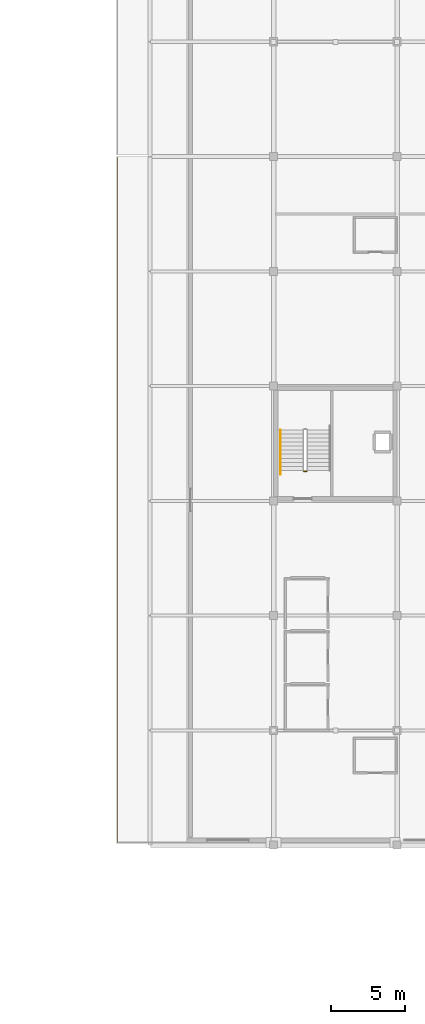
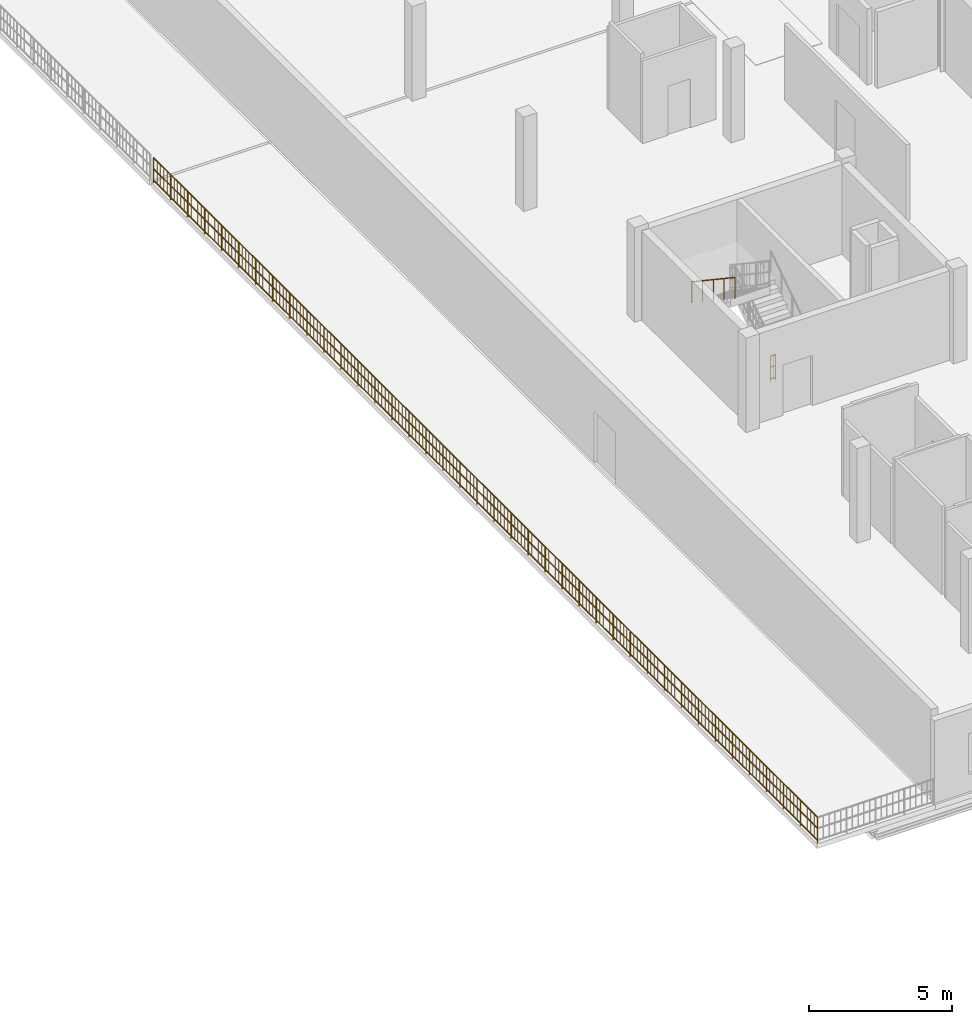
# One storey, part 17 of 20: 3 railings.
"""IFC4 building model written with IfcOpenShell, lengths in metres."""

from ifc_helpers import new_model, si_unit, direction, frame, origin, origin_2d, place, context, subcontext, project, spatial, circle, extrude, material, layer, layer_set, type_object, element, save


model = new_model("IFC4")

# Units and contexts
model_context = context("Model", 3, precision=1e-05, world=origin(), true_north=direction((0.0, 1.0)))
body_context = subcontext(model_context, "Body", "Model", "MODEL_VIEW")
ifc_project = project(units=[si_unit("LENGTHUNIT", "METRE"), si_unit("AREAUNIT", "SQUARE_METRE"), si_unit("VOLUMEUNIT", "CUBIC_METRE"), si_unit("PLANEANGLEUNIT", "RADIAN"), si_unit("MASSUNIT", "GRAM", prefix="KILO")], contexts=[model_context])

# Site, building, storey
site_placement = place(None, origin())
site = spatial("IfcSite", under=ifc_project, at=site_placement, CompositionType="ELEMENT")
building_placement = place(site_placement, origin())
building = spatial("IfcBuilding", under=site, at=building_placement, Name="Nabrawat Pavilion Hospital", CompositionType="ELEMENT")
storey_placement = place(building_placement, frame((0.0, 0.0, 27.0)))
storey = spatial("IfcBuildingStorey", under=building, at=storey_placement, Name="L06", CompositionType="ELEMENT", Elevation=27.0)

# Railings
ifc_material = material(Name="Stainless Steel 316", Category="steel")
ifc_layer_1 = layer(ifc_material, 0.070068359375, Name="Stainless Steel 316")
ifc_layer_set_1 = layer_set([ifc_layer_1], Name="Stainless Steel 316")
railing_type_1 = type_object("IfcRailingType", Name="Exterior Clinical Terrace Safety Guardrail 1100", PredefinedType="GUARDRAIL", material=ifc_layer_set_1)
railing_1_placement = place(storey_placement, frame((140.580078125, 39.179931640625, 0.0)))
element("IfcRailing", 1, at=railing_1_placement, inside=storey, type_object=railing_type_1, Name="L06 Terrace Edge Safety Guardrail T_L06_WARD_WEST_S West", PredefinedType="GUARDRAIL", context=body_context, shape_type="SweptSolid", body=[
    extrude(circle(Radius=0.02392578125, at=origin_2d()), frame((0.0, 0.0, 1.076171875), z_axis=(0.0, 1.0, 0.0), x_axis=(-1.0, 0.0, 0.0)), (0.0, 0.0, 1.0), 46.56005859375),
    extrude(circle(Radius=0.02392578125, at=origin_2d()), frame((0.0, 0.0, 0.10009765625), z_axis=(0.0, 1.0, 0.0), x_axis=(-1.0, 0.0, 0.0)), (0.0, 0.0, 1.0), 46.56005859375),
    extrude(circle(Radius=0.02392578125, at=origin_2d()), frame((0.0, 0.0, 0.60498046875), z_axis=(0.0, 1.0, 0.0), x_axis=(-1.0, 0.0, 0.0)), (0.0, 0.0, 1.0), 46.56005859375),
    extrude(circle(Radius=0.008056640625, at=origin_2d()), frame((0.0, 0.23876953125, 0.10009765625)), (0.0, 0.0, 1.0), 0.951904296875),
    extrude(circle(Radius=0.008056640625, at=origin_2d()), frame((0.0, 0.4775390625, 0.10009765625)), (0.0, 0.0, 1.0), 0.951904296875),
    extrude(circle(Radius=0.008056640625, at=origin_2d()), frame((0.0, 0.71630859375, 0.10009765625)), (0.0, 0.0, 1.0), 0.951904296875),
    extrude(circle(Radius=0.008056640625, at=origin_2d()), frame((0.0, 0.955078125, 0.10009765625)), (0.0, 0.0, 1.0), 0.951904296875),
    extrude(circle(Radius=0.008056640625, at=origin_2d()), frame((0.0, 1.4326171875, 0.10009765625)), (0.0, 0.0, 1.0), 0.951904296875),
    extrude(circle(Radius=0.008056640625, at=origin_2d()), frame((0.0, 1.67138671875, 0.10009765625)), (0.0, 0.0, 1.0), 0.951904296875),
    extrude(circle(Radius=0.008056640625, at=origin_2d()), frame((0.0, 1.91015625, 0.10009765625)), (0.0, 0.0, 1.0), 0.951904296875),
    extrude(circle(Radius=0.008056640625, at=origin_2d()), frame((0.0, 2.14892578125, 0.10009765625)), (0.0, 0.0, 1.0), 0.951904296875),
    extrude(circle(Radius=0.008056640625, at=origin_2d()), frame((0.0, 2.62646484375, 0.10009765625)), (0.0, 0.0, 1.0), 0.951904296875),
    extrude(circle(Radius=0.008056640625, at=origin_2d()), frame((0.0, 2.865234375, 0.10009765625)), (0.0, 0.0, 1.0), 0.951904296875),
    extrude(circle(Radius=0.008056640625, at=origin_2d()), frame((0.0, 3.10400390625, 0.10009765625)), (0.0, 0.0, 1.0), 0.951904296875),
    extrude(circle(Radius=0.008056640625, at=origin_2d()), frame((0.0, 3.3427734375, 0.10009765625)), (0.0, 0.0, 1.0), 0.951904296875),
    extrude(circle(Radius=0.008056640625, at=origin_2d()), frame((0.0, 3.8203125, 0.10009765625)), (0.0, 0.0, 1.0), 0.951904296875),
    extrude(circle(Radius=0.008056640625, at=origin_2d()), frame((0.0, 4.05908203125, 0.10009765625)), (0.0, 0.0, 1.0), 0.951904296875),
    extrude(circle(Radius=0.008056640625, at=origin_2d()), frame((0.0, 4.2978515625, 0.10009765625)), (0.0, 0.0, 1.0), 0.951904296875),
    extrude(circle(Radius=0.008056640625, at=origin_2d()), frame((0.0, 4.53662109375, 0.10009765625)), (0.0, 0.0, 1.0), 0.951904296875),
    extrude(circle(Radius=0.008056640625, at=origin_2d()), frame((0.0, 5.01416015625, 0.10009765625)), (0.0, 0.0, 1.0), 0.951904296875),
    extrude(circle(Radius=0.008056640625, at=origin_2d()), frame((0.0, 5.2529296875, 0.10009765625)), (0.0, 0.0, 1.0), 0.951904296875),
    extrude(circle(Radius=0.008056640625, at=origin_2d()), frame((0.0, 5.49169921875, 0.10009765625)), (0.0, 0.0, 1.0), 0.951904296875),
    extrude(circle(Radius=0.008056640625, at=origin_2d()), frame((0.0, 5.73046875, 0.10009765625)), (0.0, 0.0, 1.0), 0.951904296875),
    extrude(circle(Radius=0.008056640625, at=origin_2d()), frame((0.0, 6.2080078125, 0.10009765625)), (0.0, 0.0, 1.0), 0.951904296875),
    extrude(circle(Radius=0.008056640625, at=origin_2d()), frame((0.0, 6.44677734375, 0.10009765625)), (0.0, 0.0, 1.0), 0.951904296875),
    extrude(circle(Radius=0.008056640625, at=origin_2d()), frame((0.0, 6.685546875, 0.10009765625)), (0.0, 0.0, 1.0), 0.951904296875),
    extrude(circle(Radius=0.008056640625, at=origin_2d()), frame((0.0, 6.92431640625, 0.10009765625)), (0.0, 0.0, 1.0), 0.951904296875),
    extrude(circle(Radius=0.008056640625, at=origin_2d()), frame((0.0, 7.40185546875, 0.10009765625)), (0.0, 0.0, 1.0), 0.951904296875),
    extrude(circle(Radius=0.008056640625, at=origin_2d()), frame((0.0, 7.640625, 0.10009765625)), (0.0, 0.0, 1.0), 0.951904296875),
    extrude(circle(Radius=0.008056640625, at=origin_2d()), frame((0.0, 7.87939453125, 0.10009765625)), (0.0, 0.0, 1.0), 0.951904296875),
    extrude(circle(Radius=0.008056640625, at=origin_2d()), frame((0.0, 8.1181640625, 0.10009765625)), (0.0, 0.0, 1.0), 0.951904296875),
    extrude(circle(Radius=0.008056640625, at=origin_2d()), frame((0.0, 8.595703125, 0.10009765625)), (0.0, 0.0, 1.0), 0.951904296875),
    extrude(circle(Radius=0.008056640625, at=origin_2d()), frame((0.0, 8.83447265625, 0.10009765625)), (0.0, 0.0, 1.0), 0.951904296875),
    extrude(circle(Radius=0.008056640625, at=origin_2d()), frame((0.0, 9.0732421875, 0.10009765625)), (0.0, 0.0, 1.0), 0.951904296875),
    extrude(circle(Radius=0.008056640625, at=origin_2d()), frame((0.0, 9.31201171875, 0.10009765625)), (0.0, 0.0, 1.0), 0.951904296875),
    extrude(circle(Radius=0.008056640625, at=origin_2d()), frame((0.0, 9.78955078125, 0.10009765625)), (0.0, 0.0, 1.0), 0.951904296875),
    extrude(circle(Radius=0.008056640625, at=origin_2d()), frame((0.0, 10.0283203125, 0.10009765625)), (0.0, 0.0, 1.0), 0.951904296875),
    extrude(circle(Radius=0.008056640625, at=origin_2d()), frame((0.0, 10.26708984375, 0.10009765625)), (0.0, 0.0, 1.0), 0.951904296875),
    extrude(circle(Radius=0.008056640625, at=origin_2d()), frame((0.0, 10.505859375, 0.10009765625)), (0.0, 0.0, 1.0), 0.951904296875),
    extrude(circle(Radius=0.008056640625, at=origin_2d()), frame((0.0, 10.9833984375, 0.10009765625)), (0.0, 0.0, 1.0), 0.951904296875),
    extrude(circle(Radius=0.008056640625, at=origin_2d()), frame((0.0, 11.22216796875, 0.10009765625)), (0.0, 0.0, 1.0), 0.951904296875),
    extrude(circle(Radius=0.008056640625, at=origin_2d()), frame((0.0, 11.4609375, 0.10009765625)), (0.0, 0.0, 1.0), 0.951904296875),
    extrude(circle(Radius=0.008056640625, at=origin_2d()), frame((0.0, 11.69970703125, 0.10009765625)), (0.0, 0.0, 1.0), 0.951904296875),
    extrude(circle(Radius=0.008056640625, at=origin_2d()), frame((0.0, 12.17724609375, 0.10009765625)), (0.0, 0.0, 1.0), 0.951904296875),
    extrude(circle(Radius=0.008056640625, at=origin_2d()), frame((0.0, 12.416015625, 0.10009765625)), (0.0, 0.0, 1.0), 0.951904296875),
    extrude(circle(Radius=0.008056640625, at=origin_2d()), frame((0.0, 12.65478515625, 0.10009765625)), (0.0, 0.0, 1.0), 0.951904296875),
    extrude(circle(Radius=0.008056640625, at=origin_2d()), frame((0.0, 12.8935546875, 0.10009765625)), (0.0, 0.0, 1.0), 0.951904296875),
    extrude(circle(Radius=0.008056640625, at=origin_2d()), frame((0.0, 13.37109375, 0.10009765625)), (0.0, 0.0, 1.0), 0.951904296875),
    extrude(circle(Radius=0.008056640625, at=origin_2d()), frame((0.0, 13.60986328125, 0.10009765625)), (0.0, 0.0, 1.0), 0.951904296875),
    extrude(circle(Radius=0.008056640625, at=origin_2d()), frame((0.0, 13.8486328125, 0.10009765625)), (0.0, 0.0, 1.0), 0.951904296875),
    extrude(circle(Radius=0.008056640625, at=origin_2d()), frame((0.0, 14.08740234375, 0.10009765625)), (0.0, 0.0, 1.0), 0.951904296875),
    extrude(circle(Radius=0.008056640625, at=origin_2d()), frame((0.0, 14.56494140625, 0.10009765625)), (0.0, 0.0, 1.0), 0.951904296875),
    extrude(circle(Radius=0.008056640625, at=origin_2d()), frame((0.0, 14.8037109375, 0.10009765625)), (0.0, 0.0, 1.0), 0.951904296875),
    extrude(circle(Radius=0.008056640625, at=origin_2d()), frame((0.0, 15.04248046875, 0.10009765625)), (0.0, 0.0, 1.0), 0.951904296875),
    extrude(circle(Radius=0.008056640625, at=origin_2d()), frame((0.0, 15.28125, 0.10009765625)), (0.0, 0.0, 1.0), 0.951904296875),
    extrude(circle(Radius=0.008056640625, at=origin_2d()), frame((0.0, 15.7587890625, 0.10009765625)), (0.0, 0.0, 1.0), 0.951904296875),
    extrude(circle(Radius=0.008056640625, at=origin_2d()), frame((0.0, 15.99755859375, 0.10009765625)), (0.0, 0.0, 1.0), 0.951904296875),
    extrude(circle(Radius=0.008056640625, at=origin_2d()), frame((0.0, 16.236328125, 0.10009765625)), (0.0, 0.0, 1.0), 0.951904296875),
    extrude(circle(Radius=0.008056640625, at=origin_2d()), frame((0.0, 16.47509765625, 0.10009765625)), (0.0, 0.0, 1.0), 0.951904296875),
    extrude(circle(Radius=0.008056640625, at=origin_2d()), frame((0.0, 16.95263671875, 0.10009765625)), (0.0, 0.0, 1.0), 0.951904296875),
    extrude(circle(Radius=0.008056640625, at=origin_2d()), frame((0.0, 17.19140625, 0.10009765625)), (0.0, 0.0, 1.0), 0.951904296875),
    extrude(circle(Radius=0.008056640625, at=origin_2d()), frame((0.0, 17.43017578125, 0.10009765625)), (0.0, 0.0, 1.0), 0.951904296875),
    extrude(circle(Radius=0.008056640625, at=origin_2d()), frame((0.0, 17.6689453125, 0.10009765625)), (0.0, 0.0, 1.0), 0.951904296875),
    extrude(circle(Radius=0.008056640625, at=origin_2d()), frame((0.0, 18.146484375, 0.10009765625)), (0.0, 0.0, 1.0), 0.951904296875),
    extrude(circle(Radius=0.008056640625, at=origin_2d()), frame((0.0, 18.38525390625, 0.10009765625)), (0.0, 0.0, 1.0), 0.951904296875),
    extrude(circle(Radius=0.008056640625, at=origin_2d()), frame((0.0, 18.6240234375, 0.10009765625)), (0.0, 0.0, 1.0), 0.951904296875),
    extrude(circle(Radius=0.008056640625, at=origin_2d()), frame((0.0, 18.86279296875, 0.10009765625)), (0.0, 0.0, 1.0), 0.951904296875),
    extrude(circle(Radius=0.008056640625, at=origin_2d()), frame((0.0, 19.34033203125, 0.10009765625)), (0.0, 0.0, 1.0), 0.951904296875),
    extrude(circle(Radius=0.008056640625, at=origin_2d()), frame((0.0, 19.5791015625, 0.10009765625)), (0.0, 0.0, 1.0), 0.951904296875),
    extrude(circle(Radius=0.008056640625, at=origin_2d()), frame((0.0, 19.81787109375, 0.10009765625)), (0.0, 0.0, 1.0), 0.951904296875),
    extrude(circle(Radius=0.008056640625, at=origin_2d()), frame((0.0, 20.056640625, 0.10009765625)), (0.0, 0.0, 1.0), 0.951904296875),
    extrude(circle(Radius=0.008056640625, at=origin_2d()), frame((0.0, 20.5341796875, 0.10009765625)), (0.0, 0.0, 1.0), 0.951904296875),
    extrude(circle(Radius=0.008056640625, at=origin_2d()), frame((0.0, 20.77294921875, 0.10009765625)), (0.0, 0.0, 1.0), 0.951904296875),
    extrude(circle(Radius=0.008056640625, at=origin_2d()), frame((0.0, 21.01171875, 0.10009765625)), (0.0, 0.0, 1.0), 0.951904296875),
    extrude(circle(Radius=0.008056640625, at=origin_2d()), frame((0.0, 21.25048828125, 0.10009765625)), (0.0, 0.0, 1.0), 0.951904296875),
    extrude(circle(Radius=0.008056640625, at=origin_2d()), frame((0.0, 21.72802734375, 0.10009765625)), (0.0, 0.0, 1.0), 0.951904296875),
    extrude(circle(Radius=0.008056640625, at=origin_2d()), frame((0.0, 21.966796875, 0.10009765625)), (0.0, 0.0, 1.0), 0.951904296875),
    extrude(circle(Radius=0.008056640625, at=origin_2d()), frame((0.0, 22.20556640625, 0.10009765625)), (0.0, 0.0, 1.0), 0.951904296875),
    extrude(circle(Radius=0.008056640625, at=origin_2d()), frame((0.0, 22.4443359375, 0.10009765625)), (0.0, 0.0, 1.0), 0.951904296875),
    extrude(circle(Radius=0.008056640625, at=origin_2d()), frame((0.0, 22.921875, 0.10009765625)), (0.0, 0.0, 1.0), 0.951904296875),
    extrude(circle(Radius=0.008056640625, at=origin_2d()), frame((0.0, 23.16064453125, 0.10009765625)), (0.0, 0.0, 1.0), 0.951904296875),
    extrude(circle(Radius=0.008056640625, at=origin_2d()), frame((0.0, 23.3994140625, 0.10009765625)), (0.0, 0.0, 1.0), 0.951904296875),
    extrude(circle(Radius=0.008056640625, at=origin_2d()), frame((0.0, 23.63818359375, 0.10009765625)), (0.0, 0.0, 1.0), 0.951904296875),
    extrude(circle(Radius=0.008056640625, at=origin_2d()), frame((0.0, 24.11572265625, 0.10009765625)), (0.0, 0.0, 1.0), 0.951904296875),
    extrude(circle(Radius=0.008056640625, at=origin_2d()), frame((0.0, 24.3544921875, 0.10009765625)), (0.0, 0.0, 1.0), 0.951904296875),
    extrude(circle(Radius=0.008056640625, at=origin_2d()), frame((0.0, 24.59326171875, 0.10009765625)), (0.0, 0.0, 1.0), 0.951904296875),
    extrude(circle(Radius=0.008056640625, at=origin_2d()), frame((0.0, 24.83203125, 0.10009765625)), (0.0, 0.0, 1.0), 0.951904296875),
    extrude(circle(Radius=0.008056640625, at=origin_2d()), frame((0.0, 25.3095703125, 0.10009765625)), (0.0, 0.0, 1.0), 0.951904296875),
    extrude(circle(Radius=0.008056640625, at=origin_2d()), frame((0.0, 25.54833984375, 0.10009765625)), (0.0, 0.0, 1.0), 0.951904296875),
    extrude(circle(Radius=0.008056640625, at=origin_2d()), frame((0.0, 25.787109375, 0.10009765625)), (0.0, 0.0, 1.0), 0.951904296875),
    extrude(circle(Radius=0.008056640625, at=origin_2d()), frame((0.0, 26.02587890625, 0.10009765625)), (0.0, 0.0, 1.0), 0.951904296875),
    extrude(circle(Radius=0.008056640625, at=origin_2d()), frame((0.0, 26.50341796875, 0.10009765625)), (0.0, 0.0, 1.0), 0.951904296875),
    extrude(circle(Radius=0.008056640625, at=origin_2d()), frame((0.0, 26.7421875, 0.10009765625)), (0.0, 0.0, 1.0), 0.951904296875),
    extrude(circle(Radius=0.008056640625, at=origin_2d()), frame((0.0, 26.98095703125, 0.10009765625)), (0.0, 0.0, 1.0), 0.951904296875),
    extrude(circle(Radius=0.008056640625, at=origin_2d()), frame((0.0, 27.2197265625, 0.10009765625)), (0.0, 0.0, 1.0), 0.951904296875),
    extrude(circle(Radius=0.008056640625, at=origin_2d()), frame((0.0, 27.697265625, 0.10009765625)), (0.0, 0.0, 1.0), 0.951904296875),
    extrude(circle(Radius=0.008056640625, at=origin_2d()), frame((0.0, 27.93603515625, 0.10009765625)), (0.0, 0.0, 1.0), 0.951904296875),
    extrude(circle(Radius=0.008056640625, at=origin_2d()), frame((0.0, 28.1748046875, 0.10009765625)), (0.0, 0.0, 1.0), 0.951904296875),
    extrude(circle(Radius=0.008056640625, at=origin_2d()), frame((0.0, 28.41357421875, 0.10009765625)), (0.0, 0.0, 1.0), 0.951904296875),
    extrude(circle(Radius=0.008056640625, at=origin_2d()), frame((0.0, 28.89111328125, 0.10009765625)), (0.0, 0.0, 1.0), 0.951904296875),
    extrude(circle(Radius=0.008056640625, at=origin_2d()), frame((0.0, 29.1298828125, 0.10009765625)), (0.0, 0.0, 1.0), 0.951904296875),
    extrude(circle(Radius=0.008056640625, at=origin_2d()), frame((0.0, 29.36865234375, 0.10009765625)), (0.0, 0.0, 1.0), 0.951904296875),
    extrude(circle(Radius=0.008056640625, at=origin_2d()), frame((0.0, 29.607421875, 0.10009765625)), (0.0, 0.0, 1.0), 0.951904296875),
    extrude(circle(Radius=0.008056640625, at=origin_2d()), frame((0.0, 30.0849609375, 0.10009765625)), (0.0, 0.0, 1.0), 0.951904296875),
    extrude(circle(Radius=0.008056640625, at=origin_2d()), frame((0.0, 30.32373046875, 0.10009765625)), (0.0, 0.0, 1.0), 0.951904296875),
    extrude(circle(Radius=0.008056640625, at=origin_2d()), frame((0.0, 30.5625, 0.10009765625)), (0.0, 0.0, 1.0), 0.951904296875),
    extrude(circle(Radius=0.008056640625, at=origin_2d()), frame((0.0, 30.80126953125, 0.10009765625)), (0.0, 0.0, 1.0), 0.951904296875),
    extrude(circle(Radius=0.008056640625, at=origin_2d()), frame((0.0, 31.27880859375, 0.10009765625)), (0.0, 0.0, 1.0), 0.951904296875),
    extrude(circle(Radius=0.008056640625, at=origin_2d()), frame((0.0, 31.517578125, 0.10009765625)), (0.0, 0.0, 1.0), 0.951904296875),
    extrude(circle(Radius=0.008056640625, at=origin_2d()), frame((0.0, 31.75634765625, 0.10009765625)), (0.0, 0.0, 1.0), 0.951904296875),
    extrude(circle(Radius=0.008056640625, at=origin_2d()), frame((0.0, 31.9951171875, 0.10009765625)), (0.0, 0.0, 1.0), 0.951904296875),
    extrude(circle(Radius=0.008056640625, at=origin_2d()), frame((0.0, 32.47265625, 0.10009765625)), (0.0, 0.0, 1.0), 0.951904296875),
    extrude(circle(Radius=0.008056640625, at=origin_2d()), frame((0.0, 32.71142578125, 0.10009765625)), (0.0, 0.0, 1.0), 0.951904296875),
    extrude(circle(Radius=0.008056640625, at=origin_2d()), frame((0.0, 32.9501953125, 0.10009765625)), (0.0, 0.0, 1.0), 0.951904296875),
    extrude(circle(Radius=0.008056640625, at=origin_2d()), frame((0.0, 33.18896484375, 0.10009765625)), (0.0, 0.0, 1.0), 0.951904296875),
    extrude(circle(Radius=0.008056640625, at=origin_2d()), frame((0.0, 33.66650390625, 0.10009765625)), (0.0, 0.0, 1.0), 0.951904296875),
    extrude(circle(Radius=0.008056640625, at=origin_2d()), frame((0.0, 33.9052734375, 0.10009765625)), (0.0, 0.0, 1.0), 0.951904296875),
    extrude(circle(Radius=0.008056640625, at=origin_2d()), frame((0.0, 34.14404296875, 0.10009765625)), (0.0, 0.0, 1.0), 0.951904296875),
    extrude(circle(Radius=0.008056640625, at=origin_2d()), frame((0.0, 34.3828125, 0.10009765625)), (0.0, 0.0, 1.0), 0.951904296875),
    extrude(circle(Radius=0.008056640625, at=origin_2d()), frame((0.0, 34.8603515625, 0.10009765625)), (0.0, 0.0, 1.0), 0.951904296875),
    extrude(circle(Radius=0.008056640625, at=origin_2d()), frame((0.0, 35.09912109375, 0.10009765625)), (0.0, 0.0, 1.0), 0.951904296875),
    extrude(circle(Radius=0.008056640625, at=origin_2d()), frame((0.0, 35.337890625, 0.10009765625)), (0.0, 0.0, 1.0), 0.951904296875),
    extrude(circle(Radius=0.008056640625, at=origin_2d()), frame((0.0, 35.57666015625, 0.10009765625)), (0.0, 0.0, 1.0), 0.951904296875),
    extrude(circle(Radius=0.008056640625, at=origin_2d()), frame((0.0, 36.05419921875, 0.10009765625)), (0.0, 0.0, 1.0), 0.951904296875),
    extrude(circle(Radius=0.008056640625, at=origin_2d()), frame((0.0, 36.29296875, 0.10009765625)), (0.0, 0.0, 1.0), 0.951904296875),
    extrude(circle(Radius=0.008056640625, at=origin_2d()), frame((0.0, 36.53173828125, 0.10009765625)), (0.0, 0.0, 1.0), 0.951904296875),
    extrude(circle(Radius=0.008056640625, at=origin_2d()), frame((0.0, 36.7705078125, 0.10009765625)), (0.0, 0.0, 1.0), 0.951904296875),
    extrude(circle(Radius=0.008056640625, at=origin_2d()), frame((0.0, 37.248046875, 0.10009765625)), (0.0, 0.0, 1.0), 0.951904296875),
    extrude(circle(Radius=0.008056640625, at=origin_2d()), frame((0.0, 37.48681640625, 0.10009765625)), (0.0, 0.0, 1.0), 0.951904296875),
    extrude(circle(Radius=0.008056640625, at=origin_2d()), frame((0.0, 37.7255859375, 0.10009765625)), (0.0, 0.0, 1.0), 0.951904296875),
    extrude(circle(Radius=0.008056640625, at=origin_2d()), frame((0.0, 37.96435546875, 0.10009765625)), (0.0, 0.0, 1.0), 0.951904296875),
    extrude(circle(Radius=0.008056640625, at=origin_2d()), frame((0.0, 38.44189453125, 0.10009765625)), (0.0, 0.0, 1.0), 0.951904296875),
    extrude(circle(Radius=0.008056640625, at=origin_2d()), frame((0.0, 38.6806640625, 0.10009765625)), (0.0, 0.0, 1.0), 0.951904296875),
    extrude(circle(Radius=0.008056640625, at=origin_2d()), frame((0.0, 38.91943359375, 0.10009765625)), (0.0, 0.0, 1.0), 0.951904296875),
    extrude(circle(Radius=0.008056640625, at=origin_2d()), frame((0.0, 39.158203125, 0.10009765625)), (0.0, 0.0, 1.0), 0.951904296875),
    extrude(circle(Radius=0.008056640625, at=origin_2d()), frame((0.0, 39.6357421875, 0.10009765625)), (0.0, 0.0, 1.0), 0.951904296875),
    extrude(circle(Radius=0.008056640625, at=origin_2d()), frame((0.0, 39.87451171875, 0.10009765625)), (0.0, 0.0, 1.0), 0.951904296875),
    extrude(circle(Radius=0.008056640625, at=origin_2d()), frame((0.0, 40.11328125, 0.10009765625)), (0.0, 0.0, 1.0), 0.951904296875),
    extrude(circle(Radius=0.008056640625, at=origin_2d()), frame((0.0, 40.35205078125, 0.10009765625)), (0.0, 0.0, 1.0), 0.951904296875),
    extrude(circle(Radius=0.008056640625, at=origin_2d()), frame((0.0, 40.82958984375, 0.10009765625)), (0.0, 0.0, 1.0), 0.951904296875),
    extrude(circle(Radius=0.008056640625, at=origin_2d()), frame((0.0, 41.068359375, 0.10009765625)), (0.0, 0.0, 1.0), 0.951904296875),
    extrude(circle(Radius=0.008056640625, at=origin_2d()), frame((0.0, 41.30712890625, 0.10009765625)), (0.0, 0.0, 1.0), 0.951904296875),
    extrude(circle(Radius=0.008056640625, at=origin_2d()), frame((0.0, 41.5458984375, 0.10009765625)), (0.0, 0.0, 1.0), 0.951904296875),
    extrude(circle(Radius=0.008056640625, at=origin_2d()), frame((0.0, 42.0234375, 0.10009765625)), (0.0, 0.0, 1.0), 0.951904296875),
    extrude(circle(Radius=0.008056640625, at=origin_2d()), frame((0.0, 42.26220703125, 0.10009765625)), (0.0, 0.0, 1.0), 0.951904296875),
    extrude(circle(Radius=0.008056640625, at=origin_2d()), frame((0.0, 42.5009765625, 0.10009765625)), (0.0, 0.0, 1.0), 0.951904296875),
    extrude(circle(Radius=0.008056640625, at=origin_2d()), frame((0.0, 42.73974609375, 0.10009765625)), (0.0, 0.0, 1.0), 0.951904296875),
    extrude(circle(Radius=0.008056640625, at=origin_2d()), frame((0.0, 43.21728515625, 0.10009765625)), (0.0, 0.0, 1.0), 0.951904296875),
    extrude(circle(Radius=0.008056640625, at=origin_2d()), frame((0.0, 43.4560546875, 0.10009765625)), (0.0, 0.0, 1.0), 0.951904296875),
    extrude(circle(Radius=0.008056640625, at=origin_2d()), frame((0.0, 43.69482421875, 0.10009765625)), (0.0, 0.0, 1.0), 0.951904296875),
    extrude(circle(Radius=0.008056640625, at=origin_2d()), frame((0.0, 43.93359375, 0.10009765625)), (0.0, 0.0, 1.0), 0.951904296875),
    extrude(circle(Radius=0.008056640625, at=origin_2d()), frame((0.0, 44.4111328125, 0.10009765625)), (0.0, 0.0, 1.0), 0.951904296875),
    extrude(circle(Radius=0.008056640625, at=origin_2d()), frame((0.0, 44.64990234375, 0.10009765625)), (0.0, 0.0, 1.0), 0.951904296875),
    extrude(circle(Radius=0.008056640625, at=origin_2d()), frame((0.0, 44.888671875, 0.10009765625)), (0.0, 0.0, 1.0), 0.951904296875),
    extrude(circle(Radius=0.008056640625, at=origin_2d()), frame((0.0, 45.12744140625, 0.10009765625)), (0.0, 0.0, 1.0), 0.951904296875),
    extrude(circle(Radius=0.008056640625, at=origin_2d()), frame((0.0, 45.60498046875, 0.10009765625)), (0.0, 0.0, 1.0), 0.951904296875),
    extrude(circle(Radius=0.008056640625, at=origin_2d()), frame((0.0, 45.84375, 0.10009765625)), (0.0, 0.0, 1.0), 0.951904296875),
    extrude(circle(Radius=0.008056640625, at=origin_2d()), frame((0.0, 46.08251953125, 0.10009765625)), (0.0, 0.0, 1.0), 0.951904296875),
    extrude(circle(Radius=0.008056640625, at=origin_2d()), frame((0.0, 46.3212890625, 0.10009765625)), (0.0, 0.0, 1.0), 0.951904296875),
    extrude(circle(Radius=0.02099609375, at=origin_2d()), origin(), (0.0, 0.0, 1.0), 1.052001953125),
    extrude(circle(Radius=0.02099609375, at=origin_2d()), frame((0.0, 1.19384765625, 0.0)), (0.0, 0.0, 1.0), 1.052001953125),
    extrude(circle(Radius=0.02099609375, at=origin_2d()), frame((0.0, 2.3876953125, 0.0)), (0.0, 0.0, 1.0), 1.052001953125),
    extrude(circle(Radius=0.02099609375, at=origin_2d()), frame((0.0, 3.58154296875, 0.0)), (0.0, 0.0, 1.0), 1.052001953125),
    extrude(circle(Radius=0.02099609375, at=origin_2d()), frame((0.0, 4.775390625, 0.0)), (0.0, 0.0, 1.0), 1.052001953125),
    extrude(circle(Radius=0.02099609375, at=origin_2d()), frame((0.0, 5.96923828125, 0.0)), (0.0, 0.0, 1.0), 1.052001953125),
    extrude(circle(Radius=0.02099609375, at=origin_2d()), frame((0.0, 7.1630859375, 0.0)), (0.0, 0.0, 1.0), 1.052001953125),
    extrude(circle(Radius=0.02099609375, at=origin_2d()), frame((0.0, 8.35693359375, 0.0)), (0.0, 0.0, 1.0), 1.052001953125),
    extrude(circle(Radius=0.02099609375, at=origin_2d()), frame((0.0, 9.55078125, 0.0)), (0.0, 0.0, 1.0), 1.052001953125),
    extrude(circle(Radius=0.02099609375, at=origin_2d()), frame((0.0, 10.74462890625, 0.0)), (0.0, 0.0, 1.0), 1.052001953125),
    extrude(circle(Radius=0.02099609375, at=origin_2d()), frame((0.0, 11.9384765625, 0.0)), (0.0, 0.0, 1.0), 1.052001953125),
    extrude(circle(Radius=0.02099609375, at=origin_2d()), frame((0.0, 13.13232421875, 0.0)), (0.0, 0.0, 1.0), 1.052001953125),
    extrude(circle(Radius=0.02099609375, at=origin_2d()), frame((0.0, 14.326171875, 0.0)), (0.0, 0.0, 1.0), 1.052001953125),
    extrude(circle(Radius=0.02099609375, at=origin_2d()), frame((0.0, 15.52001953125, 0.0)), (0.0, 0.0, 1.0), 1.052001953125),
    extrude(circle(Radius=0.02099609375, at=origin_2d()), frame((0.0, 16.7138671875, 0.0)), (0.0, 0.0, 1.0), 1.052001953125),
    extrude(circle(Radius=0.02099609375, at=origin_2d()), frame((0.0, 17.90771484375, 0.0)), (0.0, 0.0, 1.0), 1.052001953125),
    extrude(circle(Radius=0.02099609375, at=origin_2d()), frame((0.0, 19.1015625, 0.0)), (0.0, 0.0, 1.0), 1.052001953125),
    extrude(circle(Radius=0.02099609375, at=origin_2d()), frame((0.0, 20.29541015625, 0.0)), (0.0, 0.0, 1.0), 1.052001953125),
    extrude(circle(Radius=0.02099609375, at=origin_2d()), frame((0.0, 21.4892578125, 0.0)), (0.0, 0.0, 1.0), 1.052001953125),
    extrude(circle(Radius=0.02099609375, at=origin_2d()), frame((0.0, 22.68310546875, 0.0)), (0.0, 0.0, 1.0), 1.052001953125),
    extrude(circle(Radius=0.02099609375, at=origin_2d()), frame((0.0, 23.876953125, 0.0)), (0.0, 0.0, 1.0), 1.052001953125),
    extrude(circle(Radius=0.02099609375, at=origin_2d()), frame((0.0, 25.07080078125, 0.0)), (0.0, 0.0, 1.0), 1.052001953125),
    extrude(circle(Radius=0.02099609375, at=origin_2d()), frame((0.0, 26.2646484375, 0.0)), (0.0, 0.0, 1.0), 1.052001953125),
    extrude(circle(Radius=0.02099609375, at=origin_2d()), frame((0.0, 27.45849609375, 0.0)), (0.0, 0.0, 1.0), 1.052001953125),
    extrude(circle(Radius=0.02099609375, at=origin_2d()), frame((0.0, 28.65234375, 0.0)), (0.0, 0.0, 1.0), 1.052001953125),
    extrude(circle(Radius=0.02099609375, at=origin_2d()), frame((0.0, 29.84619140625, 0.0)), (0.0, 0.0, 1.0), 1.052001953125),
    extrude(circle(Radius=0.02099609375, at=origin_2d()), frame((0.0, 31.0400390625, 0.0)), (0.0, 0.0, 1.0), 1.052001953125),
    extrude(circle(Radius=0.02099609375, at=origin_2d()), frame((0.0, 32.23388671875, 0.0)), (0.0, 0.0, 1.0), 1.052001953125),
    extrude(circle(Radius=0.02099609375, at=origin_2d()), frame((0.0, 33.427734375, 0.0)), (0.0, 0.0, 1.0), 1.052001953125),
    extrude(circle(Radius=0.02099609375, at=origin_2d()), frame((0.0, 34.62158203125, 0.0)), (0.0, 0.0, 1.0), 1.052001953125),
    extrude(circle(Radius=0.02099609375, at=origin_2d()), frame((0.0, 35.8154296875, 0.0)), (0.0, 0.0, 1.0), 1.052001953125),
    extrude(circle(Radius=0.02099609375, at=origin_2d()), frame((0.0, 37.00927734375, 0.0)), (0.0, 0.0, 1.0), 1.052001953125),
    extrude(circle(Radius=0.02099609375, at=origin_2d()), frame((0.0, 38.203125, 0.0)), (0.0, 0.0, 1.0), 1.052001953125),
    extrude(circle(Radius=0.02099609375, at=origin_2d()), frame((0.0, 39.39697265625, 0.0)), (0.0, 0.0, 1.0), 1.052001953125),
    extrude(circle(Radius=0.02099609375, at=origin_2d()), frame((0.0, 40.5908203125, 0.0)), (0.0, 0.0, 1.0), 1.052001953125),
    extrude(circle(Radius=0.02099609375, at=origin_2d()), frame((0.0, 41.78466796875, 0.0)), (0.0, 0.0, 1.0), 1.052001953125),
    extrude(circle(Radius=0.02099609375, at=origin_2d()), frame((0.0, 42.978515625, 0.0)), (0.0, 0.0, 1.0), 1.052001953125),
    extrude(circle(Radius=0.02099609375, at=origin_2d()), frame((0.0, 44.17236328125, 0.0)), (0.0, 0.0, 1.0), 1.052001953125),
    extrude(circle(Radius=0.02099609375, at=origin_2d()), frame((0.0, 45.3662109375, 0.0)), (0.0, 0.0, 1.0), 1.052001953125),
    extrude(circle(Radius=0.02099609375, at=origin_2d()), frame((0.0, 46.56005859375, 0.0)), (0.0, 0.0, 1.0), 1.052001953125),
])
ifc_layer_2 = layer(ifc_material, 0.050048828125, Name="Stainless Steel 316")
ifc_layer_set_2 = layer_set([ifc_layer_2], Name="Stainless Steel 316")
railing_type_2 = type_object("IfcRailingType", Name="Stair Open-Well Safety Guardrail 1100", PredefinedType="GUARDRAIL", material=ifc_layer_set_2)
railing_2_placement = place(storey_placement, frame((153.449951171875, 64.419921875, 0.0)))
element("IfcRailing", 2, at=railing_2_placement, inside=storey, type_object=railing_type_2, Name="L06 ST-09 stair guard 4", PredefinedType="GUARDRAIL", context=body_context, shape_type="SweptSolid", body=[
    extrude(circle(Radius=0.02392578125, at=origin_2d()), frame((0.0, 0.0, 1.076171875), z_axis=(-1.0, 0.0, 0.0), x_axis=(0.0, -1.0, 0.0)), (0.0, 0.0, 1.0), 0.199951171875),
    extrude(circle(Radius=0.02392578125, at=origin_2d()), frame((0.0, 0.0, 0.10009765625), z_axis=(-1.0, 0.0, 0.0), x_axis=(0.0, -1.0, 0.0)), (0.0, 0.0, 1.0), 0.199951171875),
    extrude(circle(Radius=0.02392578125, at=origin_2d()), frame((0.0, 0.0, 0.60498046875), z_axis=(-1.0, 0.0, 0.0), x_axis=(0.0, -1.0, 0.0)), (0.0, 0.0, 1.0), 0.199951171875),
    extrude(circle(Radius=0.008056640625, at=origin_2d()), frame((-0.10009765625, 0.0, 0.10009765625)), (0.0, 0.0, 1.0), 0.951904296875),
    extrude(circle(Radius=0.02099609375, at=origin_2d()), origin(), (0.0, 0.0, 1.0), 1.052001953125),
    extrude(circle(Radius=0.02099609375, at=origin_2d()), frame((-0.199951171875, 0.0, 0.0)), (0.0, 0.0, 1.0), 1.052001953125),
])
ifc_layer_3 = layer(ifc_material, 0.044921875, Name="Stainless Steel 316")
ifc_layer_set_3 = layer_set([ifc_layer_3], Name="Stainless Steel 316")
railing_type_3 = type_object("IfcRailingType", Name="Stair Pitch Continuous Handrail 920", PredefinedType="HANDRAIL", material=ifc_layer_set_3)
railing_3_placement = place(storey_placement, frame((151.675048828125, 67.219970703125, 2.213134765625)))
element("IfcRailing", 3, at=railing_3_placement, inside=storey, type_object=railing_type_3, Name="L06 ST-09 stair handrail 2", PredefinedType="HANDRAIL", context=body_context, shape_type="SweptSolid", body=[
    extrude(circle(Radius=0.02392578125, at=origin_2d()), frame((0.0, 0.0, 0.89599609375), z_axis=(0.0, -0.830996314782, 0.556277920484), x_axis=(1.0, 0.0, 0.0)), (0.0, 0.0, 1.0), 3.64013671875),
    extrude(circle(Radius=0.02099609375, at=origin_2d()), origin(), (0.0, 0.0, 1.0), 0.871826171875),
    extrude(circle(Radius=0.02099609375, at=origin_2d()), frame((0.0, -0.75634765625, 0.50634765625)), (0.0, 0.0, 1.0), 0.871826171875),
    extrude(circle(Radius=0.02099609375, at=origin_2d()), frame((0.0, -1.512451171875, 1.012451171875)), (0.0, 0.0, 1.0), 0.871826171875),
    extrude(circle(Radius=0.02099609375, at=origin_2d()), frame((0.0, -2.2685546875, 1.5185546875)), (0.0, 0.0, 1.0), 0.871826171875),
    extrude(circle(Radius=0.02099609375, at=origin_2d()), frame((0.0, -3.02490234375, 2.02490234375)), (0.0, 0.0, 1.0), 0.871826171875),
])

save(model, "model.ifc")
